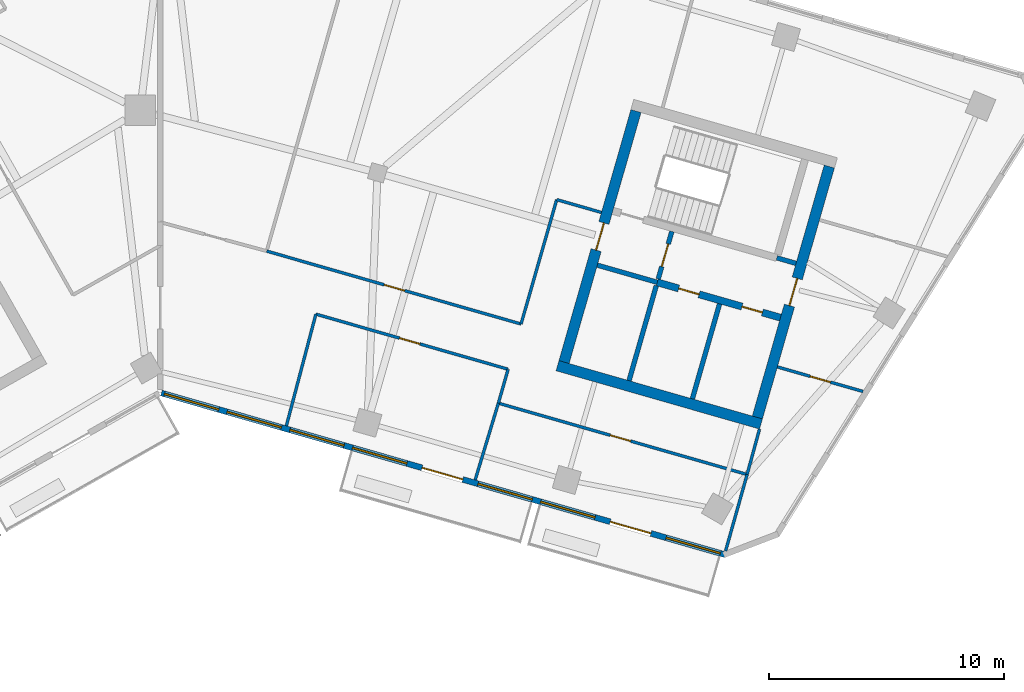
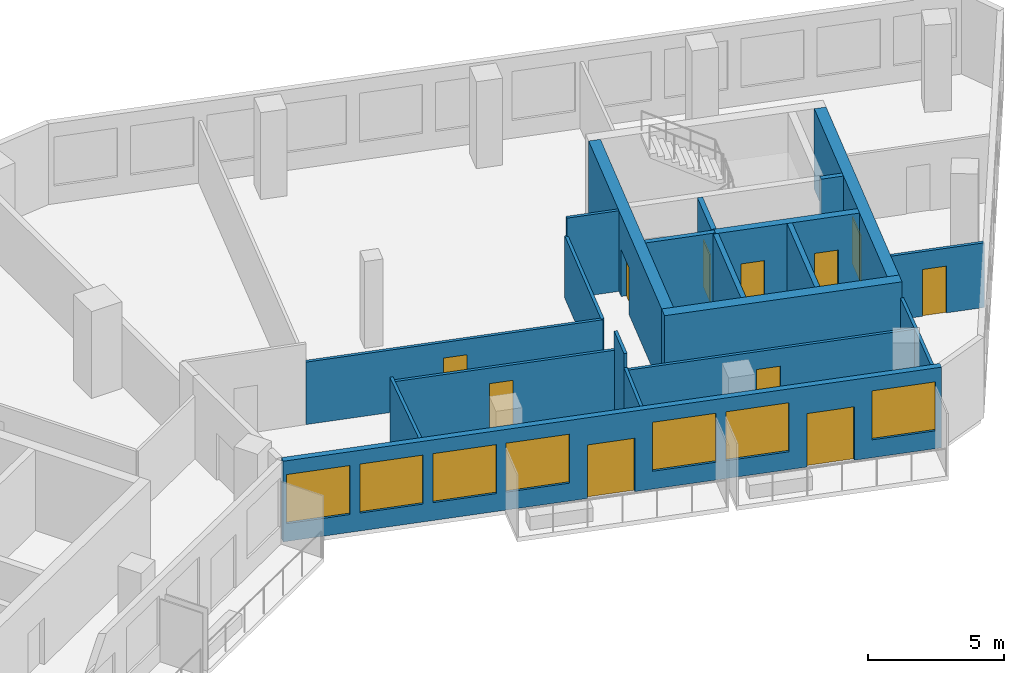
# One storey, part 7 of 12: 21 walls, 11 doors, 7 windows, 18 openings.
"""IFC4 building model written with IfcOpenShell, lengths in metres."""

from ifc_helpers import new_model, si_unit, direction, frame, frame_2d, origin, place, context, subcontext, project, spatial, rectangle, extrude, material, layer, layer_set, type_object, element, fill, save


model = new_model("IFC4")

# Units and contexts
model_context = context("Model", 3, precision=1e-05, world=origin(), true_north=direction((0.0, 1.0)))
body_context = subcontext(model_context, "Body", "Model", "MODEL_VIEW")
ifc_project = project(units=[si_unit("LENGTHUNIT", "METRE"), si_unit("AREAUNIT", "SQUARE_METRE"), si_unit("VOLUMEUNIT", "CUBIC_METRE"), si_unit("PLANEANGLEUNIT", "RADIAN"), si_unit("MASSUNIT", "GRAM", prefix="KILO")], contexts=[model_context])

# Site, building, storey
site_placement = place(None, origin())
site = spatial("IfcSite", under=ifc_project, at=site_placement, CompositionType="ELEMENT")
building_placement = place(site_placement, origin())
building = spatial("IfcBuilding", under=site, at=building_placement, Name="Binnacle Exchange Tower", CompositionType="ELEMENT")
storey_placement = place(building_placement, frame((0.0, 0.0, 250.39990234375)))
storey = spatial("IfcBuildingStorey", under=building, at=storey_placement, Name="L55", CompositionType="ELEMENT", Elevation=250.39990234375)

# Wall
ifc_material_1 = material(Name="Gypsum partition fire rated")
ifc_layer_1 = layer(ifc_material_1, 0.199951171875)
ifc_layer_set_1 = layer_set([ifc_layer_1], Name="Core partition 200")
wall_type_1 = type_object("IfcWallType", Name="Core partition 200", PredefinedType="PARTITIONING", material=ifc_layer_set_1)
wall_1_placement = place(storey_placement, frame((22.623291015625, 47.7392578125, 0.0), z_axis=(0.0, 0.0, 1.0), x_axis=(0.275642273411, 0.961260285827, 0.0)))
element("IfcWall", 1, at=wall_1_placement, inside=storey, type_object=wall_type_1, Name="Core wall CRWD10", PredefinedType="PARTITIONING", context=body_context, shape_type="SweptSolid", body=[
    extrude(rectangle(XDim=4.199951171875, YDim=0.199951171875, at=frame_2d((2.10009765625, 0.0))), origin(), (0.0, 0.0, 1.0), 3.6201171875),
])

# Wall, openings, doors
ifc_material_2 = material(Name="Concrete C70/85", Category="concrete")
ifc_layer_2 = layer(ifc_material_2, 0.300048828125)
ifc_layer_set_2 = layer_set([ifc_layer_2], Name="Core wall - front 300")
wall_type_2 = type_object("IfcWallType", Name="Core wall - front 300", PredefinedType="SOLIDWALL", material=ifc_layer_set_2)
wall_2_placement = place(storey_placement, frame((21.130859375, 52.6923828125, 0.0), z_axis=(0.0, 0.0, 1.0), x_axis=(0.961261488075, -0.275638080722, 0.0)))
wall_2 = element("IfcWall", 2, at=wall_2_placement, inside=storey, type_object=wall_type_2, Name="Core wall CRWD3", PredefinedType="SOLIDWALL", context=body_context, shape_type="SweptSolid", body=[
    extrude(rectangle(XDim=5.449951171875, YDim=0.300048828125, at=frame_2d((2.72509765625, 0.0))), origin(), (0.0, 0.0, 1.0), 3.6201171875),
])
opening_1_placement = place(wall_2_placement, frame((0.949951171875, 0.0, 0.0)))
opening_1 = element("IfcOpeningElement", 3, at=opening_1_placement, cuts=wall_2, Name="Opening DD10", PredefinedType="OPENING", context=body_context, shape_type="SweptSolid", body=[
    extrude(rectangle(XDim=0.89990234375, YDim=2.10009765625, at=frame_2d((0.449951171875, 1.050048828125))), frame((0.0, 0.159912109375, 0.0), z_axis=(0.0, -1.0, 0.0), x_axis=(1.0, 0.0, 0.0)), (0.0, 0.0, 1.0), 0.320068359375),
])
opening_2_placement = place(wall_2_placement, frame((3.75, 0.0, 0.0)))
opening_2 = element("IfcOpeningElement", 4, at=opening_2_placement, cuts=wall_2, Name="Opening DD11", PredefinedType="OPENING", context=body_context, shape_type="SweptSolid", body=[
    extrude(rectangle(XDim=0.89990234375, YDim=2.10009765625, at=frame_2d((0.449951171875, 1.050048828125))), frame((0.0, 0.159912109375, 0.0), z_axis=(0.0, -1.0, 0.0), x_axis=(1.0, 0.0, 0.0)), (0.0, 0.0, 1.0), 0.320068359375),
])
ifc_material_3 = material(Name="Steel door leaf", Category="steel")
door_type_1 = type_object("IfcDoorType", Name="Fire door 900", OperationType="NOTDEFINED", PredefinedType="DOOR", material=ifc_material_3)
door_1_placement = place(opening_1_placement, frame((0.89990234375, 0.0, 0.0), z_axis=(0.0, 0.0, 1.0), x_axis=(-1.0, 0.0, 0.0)))
door_1 = element("IfcDoor", 5, at=door_1_placement, inside=storey, type_object=door_type_1, Name="Core room door IT STORE", OperationType="SINGLE_SWING_RIGHT", OverallHeight=2.10009765625, OverallWidth=0.89990234375, PredefinedType="DOOR", context=body_context, shape_type="SweptSolid", body=[
    extrude(rectangle(XDim=0.89990234375, YDim=2.10009765625, at=frame_2d((0.449951171875, 1.050048828125))), frame((0.0, 0.02490234375, 0.0), z_axis=(0.0, -1.0, 0.0), x_axis=(1.0, 0.0, 0.0)), (0.0, 0.0, 1.0), 0.050048828125),
])
fill(opening_1, door_1)
door_2_placement = place(opening_2_placement, frame((0.89990234375, 0.0, 0.0), z_axis=(0.0, 0.0, 1.0), x_axis=(-1.0, 0.0, 0.0)))
door_2 = element("IfcDoor", 6, at=door_2_placement, inside=storey, type_object=door_type_1, Name="Core room door UPS CUPBOARD", OperationType="SINGLE_SWING_LEFT", OverallHeight=2.10009765625, OverallWidth=0.89990234375, PredefinedType="DOOR", context=body_context, shape_type="SweptSolid", body=[
    extrude(rectangle(XDim=0.89990234375, YDim=2.10009765625, at=frame_2d((0.449951171875, 1.050048828125))), frame((0.0, 0.02490234375, 0.0), z_axis=(0.0, -1.0, 0.0), x_axis=(1.0, 0.0, 0.0)), (0.0, 0.0, 1.0), 0.050048828125),
])
fill(opening_2, door_2)

# Wall
ifc_layer_3 = layer(ifc_material_2, 0.449951171875)
ifc_layer_set_3 = layer_set([ifc_layer_3], Name="Core wall - outer 450")
wall_type_3 = type_object("IfcWallType", Name="Core wall - outer 450", PredefinedType="SOLIDWALL", material=ifc_layer_set_3)
wall_3_placement = place(storey_placement, frame((16.889892578125, 49.149169921875, 0.0), z_axis=(0.0, 0.0, 1.0), x_axis=(0.96126248289, -0.275634611374, 0.0)))
element("IfcWall", 7, at=wall_3_placement, inside=storey, type_object=wall_type_3, Name="Core wall CRWD1", PredefinedType="SOLIDWALL", context=body_context, shape_type="SweptSolid", body=[
    extrude(rectangle(XDim=9.0, YDim=0.449951171875, at=frame_2d((4.5, 0.0))), origin(), (0.0, 0.0, 1.0), 3.6201171875),
])

# Wall, opening, door
wall_4_placement = place(storey_placement, frame((17.168212890625, 49.303466796875, 0.0), z_axis=(0.0, 0.0, 1.0), x_axis=(0.275638974822, 0.961261231695, 0.0)))
wall_4 = element("IfcWall", 8, at=wall_4_placement, inside=storey, type_object=wall_type_3, Name="Core wall CRWD7", PredefinedType="SOLIDWALL", context=body_context, shape_type="SweptSolid", body=[
    extrude(rectangle(XDim=11.099853515625, YDim=0.449951171875, at=frame_2d((5.5498046875, 0.0))), origin(), (0.0, 0.0, 1.0), 3.6201171875),
])
opening_3_placement = place(wall_4_placement, frame((4.9501953125, 0.0, 0.0)))
opening_3 = element("IfcOpeningElement", 9, at=opening_3_placement, cuts=wall_4, Name="Opening DD5", PredefinedType="OPENING", context=body_context, shape_type="SweptSolid", body=[
    extrude(rectangle(XDim=1.199951171875, YDim=2.10009765625, at=frame_2d((0.60009765625, 1.050048828125))), frame((0.0, 0.23486328125, 0.0), z_axis=(0.0, -1.0, 0.0), x_axis=(1.0, 0.0, 0.0)), (0.0, 0.0, 1.0), 0.469970703125),
])
door_type_2 = type_object("IfcDoorType", Name="Fire door 1200", OperationType="NOTDEFINED", PredefinedType="DOOR", material=ifc_material_3)
door_3_placement = place(opening_3_placement, origin())
door_3 = element("IfcDoor", 10, at=door_3_placement, inside=storey, type_object=door_type_2, Name="Vestibule exit door VEST-W", OperationType="SINGLE_SWING_RIGHT", OverallHeight=2.10009765625, OverallWidth=1.199951171875, PredefinedType="DOOR", context=body_context, shape_type="SweptSolid", body=[
    extrude(rectangle(XDim=1.199951171875, YDim=2.10009765625, at=frame_2d((0.60009765625, 1.050048828125))), frame((0.0, 0.02490234375, 0.0), z_axis=(0.0, -1.0, 0.0), x_axis=(1.0, 0.0, 0.0)), (0.0, 0.0, 1.0), 0.050048828125),
])
fill(opening_3, door_3)

wall_5_placement = place(storey_placement, frame((25.386962890625, 46.94677734375, 0.0), z_axis=(0.0, 0.0, 1.0), x_axis=(0.275638974822, 0.961261231695, 0.0)))
wall_5 = element("IfcWall", 11, at=wall_5_placement, inside=storey, type_object=wall_type_3, Name="Core wall CRWD12", PredefinedType="SOLIDWALL", context=body_context, shape_type="SweptSolid", body=[
    extrude(rectangle(XDim=11.099853515625, YDim=0.449951171875, at=frame_2d((5.5498046875, 0.0))), origin(), (0.0, 0.0, 1.0), 3.6201171875),
])
opening_4_placement = place(wall_5_placement, frame((4.949951171875, 0.0, 0.0)))
opening_4 = element("IfcOpeningElement", 12, at=opening_4_placement, cuts=wall_5, Name="Opening DD6", PredefinedType="OPENING", context=body_context, shape_type="SweptSolid", body=[
    extrude(rectangle(XDim=1.199951171875, YDim=2.10009765625, at=frame_2d((0.60009765625, 1.050048828125))), frame((0.0, 0.23486328125, 0.0), z_axis=(0.0, -1.0, 0.0), x_axis=(1.0, 0.0, 0.0)), (0.0, 0.0, 1.0), 0.469970703125),
])
door_4_placement = place(opening_4_placement, frame((1.199951171875, 0.0, 0.0), z_axis=(0.0, 0.0, 1.0), x_axis=(-1.0, 0.0, 0.0)))
door_4 = element("IfcDoor", 13, at=door_4_placement, inside=storey, type_object=door_type_2, Name="Core passage exit door", OperationType="SINGLE_SWING_RIGHT", OverallHeight=2.10009765625, OverallWidth=1.199951171875, PredefinedType="DOOR", context=body_context, shape_type="SweptSolid", body=[
    extrude(rectangle(XDim=1.199951171875, YDim=2.10009765625, at=frame_2d((0.60009765625, 1.050048828125))), frame((0.0, 0.02490234375, 0.0), z_axis=(0.0, -1.0, 0.0), x_axis=(1.0, 0.0, 0.0)), (0.0, 0.0, 1.0), 0.050048828125),
])
fill(opening_4, door_4)

# Wall, openings, doors, windows
ifc_material_4 = material(Name="Bronze aluminium cladding", Category="aluminium")
ifc_layer_4 = layer(ifc_material_4, 0.25)
ifc_layer_set_4 = layer_set([ifc_layer_4], Name="External wall - window wall 250")
wall_type_4 = type_object("IfcWallType", Name="External wall - window wall 250", PredefinedType="STANDARD", material=ifc_layer_set_4)
wall_6_placement = place(storey_placement, frame((24.034423828125, 41.108154296875, 0.0), z_axis=(0.0, 0.0, 1.0), x_axis=(-0.96126060691, 0.275641153683, 0.0)))
wall_6 = element("IfcWall", 14, at=wall_6_placement, inside=storey, type_object=wall_type_4, Name="External wall EW-G02 L55", PredefinedType="STANDARD", context=body_context, shape_type="SweptSolid", body=[
    extrude(rectangle(XDim=24.95068359375, YDim=0.25, at=frame_2d((12.475341796875, 0.0))), origin(), (0.0, 0.0, 1.0), 3.6201171875),
])
opening_5_placement = place(wall_6_placement, frame((22.416259765625, 0.0, 0.800048828125)))
opening_5 = element("IfcOpeningElement", 15, at=opening_5_placement, cuts=wall_6, Name="Opening WR1", PredefinedType="OPENING", context=body_context, shape_type="SweptSolid", body=[
    extrude(rectangle(XDim=2.39990234375, YDim=2.199951171875, at=frame_2d((1.199951171875, 1.10009765625))), frame((0.0, 0.135009765625, 0.0), z_axis=(0.0, -1.0, 0.0), x_axis=(1.0, 0.0, 0.0)), (0.0, 0.0, 1.0), 0.27001953125),
])
opening_6_placement = place(wall_6_placement, frame((19.642822265625, 0.0, 0.800048828125)))
opening_6 = element("IfcOpeningElement", 16, at=opening_6_placement, cuts=wall_6, Name="Opening WR1", PredefinedType="OPENING", context=body_context, shape_type="SweptSolid", body=[
    extrude(rectangle(XDim=2.39990234375, YDim=2.199951171875, at=frame_2d((1.199951171875, 1.10009765625))), frame((0.0, 0.135009765625, 0.0), z_axis=(0.0, -1.0, 0.0), x_axis=(1.0, 0.0, 0.0)), (0.0, 0.0, 1.0), 0.27001953125),
])
opening_7_placement = place(wall_6_placement, frame((16.869384765625, 0.0, 0.800048828125)))
opening_7 = element("IfcOpeningElement", 17, at=opening_7_placement, cuts=wall_6, Name="Opening WR1", PredefinedType="OPENING", context=body_context, shape_type="SweptSolid", body=[
    extrude(rectangle(XDim=2.39990234375, YDim=2.199951171875, at=frame_2d((1.199951171875, 1.10009765625))), frame((0.0, 0.135009765625, 0.0), z_axis=(0.0, -1.0, 0.0), x_axis=(1.0, 0.0, 0.0)), (0.0, 0.0, 1.0), 0.27001953125),
])
opening_8_placement = place(wall_6_placement, frame((14.095947265625, 0.0, 0.800048828125)))
opening_8 = element("IfcOpeningElement", 18, at=opening_8_placement, cuts=wall_6, Name="Opening WR1", PredefinedType="OPENING", context=body_context, shape_type="SweptSolid", body=[
    extrude(rectangle(XDim=2.39990234375, YDim=2.199951171875, at=frame_2d((1.199951171875, 1.10009765625))), frame((0.0, 0.135009765625, 0.0), z_axis=(0.0, -1.0, 0.0), x_axis=(1.0, 0.0, 0.0)), (0.0, 0.0, 1.0), 0.27001953125),
])
opening_9_placement = place(wall_6_placement, frame((11.622314453125, 0.0, 0.0)))
opening_9 = element("IfcOpeningElement", 19, at=opening_9_placement, cuts=wall_6, Name="Opening D-FS15-06", PredefinedType="OPENING", context=body_context, shape_type="SweptSolid", body=[
    extrude(rectangle(XDim=1.800048828125, YDim=2.39990234375, at=frame_2d((0.89990234375, 1.199951171875))), frame((0.0, 0.135009765625, 0.0), z_axis=(0.0, -1.0, 0.0), x_axis=(1.0, 0.0, 0.0)), (0.0, 0.0, 1.0), 0.27001953125),
])
opening_10_placement = place(wall_6_placement, frame((8.548828125, 0.0, 0.800048828125)))
opening_10 = element("IfcOpeningElement", 20, at=opening_10_placement, cuts=wall_6, Name="Opening WR1", PredefinedType="OPENING", context=body_context, shape_type="SweptSolid", body=[
    extrude(rectangle(XDim=2.39990234375, YDim=2.199951171875, at=frame_2d((1.199951171875, 1.10009765625))), frame((0.0, 0.135009765625, 0.0), z_axis=(0.0, -1.0, 0.0), x_axis=(1.0, 0.0, 0.0)), (0.0, 0.0, 1.0), 0.27001953125),
])
opening_11_placement = place(wall_6_placement, frame((5.775390625, 0.0, 0.800048828125)))
opening_11 = element("IfcOpeningElement", 21, at=opening_11_placement, cuts=wall_6, Name="Opening WR1", PredefinedType="OPENING", context=body_context, shape_type="SweptSolid", body=[
    extrude(rectangle(XDim=2.39990234375, YDim=2.199951171875, at=frame_2d((1.199951171875, 1.10009765625))), frame((0.0, 0.135009765625, 0.0), z_axis=(0.0, -1.0, 0.0), x_axis=(1.0, 0.0, 0.0)), (0.0, 0.0, 1.0), 0.27001953125),
])
opening_12_placement = place(wall_6_placement, frame((3.302001953125, 0.0, 0.0)))
opening_12 = element("IfcOpeningElement", 22, at=opening_12_placement, cuts=wall_6, Name="Opening D-FS15-07", PredefinedType="OPENING", context=body_context, shape_type="SweptSolid", body=[
    extrude(rectangle(XDim=1.800048828125, YDim=2.39990234375, at=frame_2d((0.89990234375, 1.199951171875))), frame((0.0, 0.135009765625, 0.0), z_axis=(0.0, -1.0, 0.0), x_axis=(1.0, 0.0, 0.0)), (0.0, 0.0, 1.0), 0.27001953125),
])
opening_13_placement = place(wall_6_placement, frame((0.228515625, 0.0, 0.800048828125)))
opening_13 = element("IfcOpeningElement", 23, at=opening_13_placement, cuts=wall_6, Name="Opening WR1", PredefinedType="OPENING", context=body_context, shape_type="SweptSolid", body=[
    extrude(rectangle(XDim=2.39990234375, YDim=2.199951171875, at=frame_2d((1.199951171875, 1.10009765625))), frame((0.0, 0.135009765625, 0.0), z_axis=(0.0, -1.0, 0.0), x_axis=(1.0, 0.0, 0.0)), (0.0, 0.0, 1.0), 0.27001953125),
])
ifc_material_5 = material(Name="Bronze anodised aluminium frame", Category="aluminium")
door_type_3 = type_object("IfcDoorType", Name="DB DOOR 1800x2400", OperationType="DOUBLE_DOOR_SINGLE_SWING", PredefinedType="DOOR", material=ifc_material_5)
door_5_placement = place(opening_9_placement, origin())
door_5 = element("IfcDoor", 24, at=door_5_placement, inside=storey, type_object=door_type_3, Name="Door D-FS15-06 L55", OperationType="DOUBLE_DOOR_SINGLE_SWING", OverallHeight=2.39990234375, OverallWidth=1.800048828125, PredefinedType="DOOR", context=body_context, shape_type="SweptSolid", body=[
    extrude(rectangle(XDim=1.800048828125, YDim=2.39990234375, at=frame_2d((0.89990234375, 1.199951171875))), frame((0.0, 0.02490234375, 0.0), z_axis=(0.0, -1.0, 0.0), x_axis=(1.0, 0.0, 0.0)), (0.0, 0.0, 1.0), 0.050048828125),
])
fill(opening_9, door_5)
door_6_placement = place(opening_12_placement, origin())
door_6 = element("IfcDoor", 25, at=door_6_placement, inside=storey, type_object=door_type_3, Name="Door D-FS15-07 L55", OperationType="DOUBLE_DOOR_SINGLE_SWING", OverallHeight=2.39990234375, OverallWidth=1.800048828125, PredefinedType="DOOR", context=body_context, shape_type="SweptSolid", body=[
    extrude(rectangle(XDim=1.800048828125, YDim=2.39990234375, at=frame_2d((0.89990234375, 1.199951171875))), frame((0.0, 0.02490234375, 0.0), z_axis=(0.0, -1.0, 0.0), x_axis=(1.0, 0.0, 0.0)), (0.0, 0.0, 1.0), 0.050048828125),
])
fill(opening_12, door_6)
window_type = type_object("IfcWindowType", Name="WR1 WINDOW 2400x2200", PartitioningType="SINGLE_PANEL", PredefinedType="WINDOW", material=ifc_material_5)
window_1_placement = place(opening_5_placement, origin())
window_1 = element("IfcWindow", 26, at=window_1_placement, inside=storey, type_object=window_type, Name="Window WR1 L55", OverallHeight=2.199951171875, OverallWidth=2.39990234375, PartitioningType="SINGLE_PANEL", PredefinedType="WINDOW", context=body_context, shape_type="SweptSolid", body=[
    extrude(rectangle(XDim=2.39990234375, YDim=2.199951171875, at=frame_2d((1.199951171875, 1.10009765625))), frame((0.0, 0.030029296875, 0.0), z_axis=(0.0, -1.0, 0.0), x_axis=(1.0, 0.0, 0.0)), (0.0, 0.0, 1.0), 0.06005859375),
])
fill(opening_5, window_1)
window_2_placement = place(opening_6_placement, origin())
window_2 = element("IfcWindow", 27, at=window_2_placement, inside=storey, type_object=window_type, Name="Window WR1 L55", OverallHeight=2.199951171875, OverallWidth=2.39990234375, PartitioningType="SINGLE_PANEL", PredefinedType="WINDOW", context=body_context, shape_type="SweptSolid", body=[
    extrude(rectangle(XDim=2.39990234375, YDim=2.199951171875, at=frame_2d((1.199951171875, 1.10009765625))), frame((0.0, 0.030029296875, 0.0), z_axis=(0.0, -1.0, 0.0), x_axis=(1.0, 0.0, 0.0)), (0.0, 0.0, 1.0), 0.06005859375),
])
fill(opening_6, window_2)
window_3_placement = place(opening_7_placement, origin())
window_3 = element("IfcWindow", 28, at=window_3_placement, inside=storey, type_object=window_type, Name="Window WR1 L55", OverallHeight=2.199951171875, OverallWidth=2.39990234375, PartitioningType="SINGLE_PANEL", PredefinedType="WINDOW", context=body_context, shape_type="SweptSolid", body=[
    extrude(rectangle(XDim=2.39990234375, YDim=2.199951171875, at=frame_2d((1.199951171875, 1.10009765625))), frame((0.0, 0.030029296875, 0.0), z_axis=(0.0, -1.0, 0.0), x_axis=(1.0, 0.0, 0.0)), (0.0, 0.0, 1.0), 0.06005859375),
])
fill(opening_7, window_3)
window_4_placement = place(opening_8_placement, origin())
window_4 = element("IfcWindow", 29, at=window_4_placement, inside=storey, type_object=window_type, Name="Window WR1 L55", OverallHeight=2.199951171875, OverallWidth=2.39990234375, PartitioningType="SINGLE_PANEL", PredefinedType="WINDOW", context=body_context, shape_type="SweptSolid", body=[
    extrude(rectangle(XDim=2.39990234375, YDim=2.199951171875, at=frame_2d((1.199951171875, 1.10009765625))), frame((0.0, 0.030029296875, 0.0), z_axis=(0.0, -1.0, 0.0), x_axis=(1.0, 0.0, 0.0)), (0.0, 0.0, 1.0), 0.06005859375),
])
fill(opening_8, window_4)
window_5_placement = place(opening_10_placement, origin())
window_5 = element("IfcWindow", 30, at=window_5_placement, inside=storey, type_object=window_type, Name="Window WR1 L55", OverallHeight=2.199951171875, OverallWidth=2.39990234375, PartitioningType="SINGLE_PANEL", PredefinedType="WINDOW", context=body_context, shape_type="SweptSolid", body=[
    extrude(rectangle(XDim=2.39990234375, YDim=2.199951171875, at=frame_2d((1.199951171875, 1.10009765625))), frame((0.0, 0.030029296875, 0.0), z_axis=(0.0, -1.0, 0.0), x_axis=(1.0, 0.0, 0.0)), (0.0, 0.0, 1.0), 0.06005859375),
])
fill(opening_10, window_5)
window_6_placement = place(opening_11_placement, origin())
window_6 = element("IfcWindow", 31, at=window_6_placement, inside=storey, type_object=window_type, Name="Window WR1 L55", OverallHeight=2.199951171875, OverallWidth=2.39990234375, PartitioningType="SINGLE_PANEL", PredefinedType="WINDOW", context=body_context, shape_type="SweptSolid", body=[
    extrude(rectangle(XDim=2.39990234375, YDim=2.199951171875, at=frame_2d((1.199951171875, 1.10009765625))), frame((0.0, 0.030029296875, 0.0), z_axis=(0.0, -1.0, 0.0), x_axis=(1.0, 0.0, 0.0)), (0.0, 0.0, 1.0), 0.06005859375),
])
fill(opening_11, window_6)
window_7_placement = place(opening_13_placement, origin())
window_7 = element("IfcWindow", 32, at=window_7_placement, inside=storey, type_object=window_type, Name="Window WR1 L55", OverallHeight=2.199951171875, OverallWidth=2.39990234375, PartitioningType="SINGLE_PANEL", PredefinedType="WINDOW", context=body_context, shape_type="SweptSolid", body=[
    extrude(rectangle(XDim=2.39990234375, YDim=2.199951171875, at=frame_2d((1.199951171875, 1.10009765625))), frame((0.0, 0.030029296875, 0.0), z_axis=(0.0, -1.0, 0.0), x_axis=(1.0, 0.0, 0.0)), (0.0, 0.0, 1.0), 0.06005859375),
])
fill(opening_13, window_7)

# Wall, opening, door
ifc_material_6 = material(Name="Masonry block wall", Category="masonry")
ifc_layer_5 = layer(ifc_material_6, 0.199951171875)
ifc_layer_set_5 = layer_set([ifc_layer_5], Name="Fire wall - vestibule 200")
wall_type_5 = type_object("IfcWallType", Name="Fire wall - vestibule 200", PredefinedType="PARTITIONING", material=ifc_layer_set_5)
wall_7_placement = place(storey_placement, frame((21.172119140625, 52.836669921875, 0.0), z_axis=(0.0, 0.0, 1.0), x_axis=(0.275657676022, 0.961255868981, 0.0)))
wall_7 = element("IfcWall", 33, at=wall_7_placement, inside=storey, type_object=wall_type_5, Name="Core wall CRWD9", PredefinedType="PARTITIONING", context=body_context, shape_type="SweptSolid", body=[
    extrude(rectangle(XDim=2.099853515625, YDim=0.199951171875, at=frame_2d((1.0498046875, 0.0))), origin(), (0.0, 0.0, 1.0), 3.6201171875),
])
opening_14_placement = place(wall_7_placement, frame((0.550048828125, 0.0, 0.0)))
opening_14 = element("IfcOpeningElement", 34, at=opening_14_placement, cuts=wall_7, Name="Opening DD3", PredefinedType="OPENING", context=body_context, shape_type="SweptSolid", body=[
    extrude(rectangle(XDim=1.0, YDim=2.10009765625, at=frame_2d((0.5, 1.050048828125))), frame((0.0, 0.10986328125, 0.0), z_axis=(0.0, -1.0, 0.0), x_axis=(1.0, 0.0, 0.0)), (0.0, 0.0, 1.0), 0.219970703125),
])
door_type_4 = type_object("IfcDoorType", Name="Fire door 1000", OperationType="NOTDEFINED", PredefinedType="DOOR", material=ifc_material_3)
door_7_placement = place(opening_14_placement, origin())
door_7 = element("IfcDoor", 35, at=door_7_placement, inside=storey, type_object=door_type_4, Name="Vestibule door VEST-W", OperationType="SINGLE_SWING_RIGHT", OverallHeight=2.10009765625, OverallWidth=1.0, PredefinedType="DOOR", context=body_context, shape_type="SweptSolid", body=[
    extrude(rectangle(XDim=1.0, YDim=2.10009765625, at=frame_2d((0.5, 1.050048828125))), frame((0.0, 0.02490234375, 0.0), z_axis=(0.0, -1.0, 0.0), x_axis=(1.0, 0.0, 0.0)), (0.0, 0.0, 1.0), 0.050048828125),
])
fill(opening_14, door_7)

ifc_material_7 = material(Name="Gypsum partition")
ifc_layer_6 = layer(ifc_material_7, 0.125)
ifc_layer_set_6 = layer_set([ifc_layer_6], Name="Partition 125")
wall_type_6 = type_object("IfcWallType", Name="Partition 125", PredefinedType="PARTITIONING", material=ifc_layer_set_6)
wall_8_placement = place(storey_placement, frame((4.527099609375, 54.02001953125, 0.0), z_axis=(0.0, 0.0, 1.0), x_axis=(0.961279520283, -0.275575187352, 0.0)))
wall_8 = element("IfcWall", 36, at=wall_8_placement, inside=storey, type_object=wall_type_6, Name="Partition W27", PredefinedType="PARTITIONING", context=body_context, shape_type="SweptSolid", body=[
    extrude(rectangle(XDim=11.24951171875, YDim=0.125, at=frame_2d((5.624755859375, 0.0))), origin(), (0.0, 0.0, 1.0), 2.800048828125),
])
opening_15_placement = place(wall_8_placement, frame((5.199951171875, 0.0, 0.0)))
opening_15 = element("IfcOpeningElement", 37, at=opening_15_placement, cuts=wall_8, Name="Opening DL55-09", PredefinedType="OPENING", context=body_context, shape_type="SweptSolid", body=[
    extrude(rectangle(XDim=0.89990234375, YDim=2.10009765625, at=frame_2d((0.449951171875, 1.050048828125))), frame((0.0, 0.072509765625, 0.0), z_axis=(0.0, -1.0, 0.0), x_axis=(1.0, 0.0, 0.0)), (0.0, 0.0, 1.0), 0.14501953125),
])
ifc_material_8 = material(Name="Timber door leaf", Category="wood")
door_type_5 = type_object("IfcDoorType", Name="Door 900", OperationType="NOTDEFINED", PredefinedType="DOOR", material=ifc_material_8)
door_8_placement = place(opening_15_placement, origin())
door_8 = element("IfcDoor", 38, at=door_8_placement, inside=storey, type_object=door_type_5, Name="Door DL55-09", OperationType="SINGLE_SWING_RIGHT", OverallHeight=2.10009765625, OverallWidth=0.89990234375, PredefinedType="DOOR", context=body_context, shape_type="SweptSolid", body=[
    extrude(rectangle(XDim=0.89990234375, YDim=2.10009765625, at=frame_2d((0.449951171875, 1.050048828125))), frame((0.0, 0.02490234375, 0.0), z_axis=(0.0, -1.0, 0.0), x_axis=(1.0, 0.0, 0.0)), (0.0, 0.0, 1.0), 0.050048828125),
])
fill(opening_15, door_8)

# Wall
wall_9_placement = place(storey_placement, frame((5.364013671875, 46.592041015625, 0.0), z_axis=(0.0, 0.0, 1.0), x_axis=(0.255520885185, 0.966803536006, 0.0)))
element("IfcWall", 39, at=wall_9_placement, inside=storey, type_object=wall_type_6, Name="Partition W28", PredefinedType="PARTITIONING", context=body_context, shape_type="SweptSolid", body=[
    extrude(rectangle(XDim=4.9111328125, YDim=0.125, at=frame_2d((2.45556640625, 0.0))), origin(), (0.0, 0.0, 1.0), 2.988037109375),
])

# Wall, opening, door
wall_10_placement = place(storey_placement, frame((6.618896484375, 51.340087890625, 0.0), z_axis=(0.0, 0.0, 1.0), x_axis=(0.961262314742, -0.275635197782, 0.0)))
wall_10 = element("IfcWall", 40, at=wall_10_placement, inside=storey, type_object=wall_type_6, Name="Partition W29", PredefinedType="PARTITIONING", context=body_context, shape_type="SweptSolid", body=[
    extrude(rectangle(XDim=8.50048828125, YDim=0.125, at=frame_2d((4.250244140625, 0.0))), origin(), (0.0, 0.0, 1.0), 2.800048828125),
])
opening_16_placement = place(wall_10_placement, frame((3.699951171875, 0.0, 0.0)))
opening_16 = element("IfcOpeningElement", 41, at=opening_16_placement, cuts=wall_10, Name="Opening DL55-10", PredefinedType="OPENING", context=body_context, shape_type="SweptSolid", body=[
    extrude(rectangle(XDim=0.89990234375, YDim=2.10009765625, at=frame_2d((0.449951171875, 1.050048828125))), frame((0.0, 0.072509765625, 0.0), z_axis=(0.0, -1.0, 0.0), x_axis=(1.0, 0.0, 0.0)), (0.0, 0.0, 1.0), 0.14501953125),
])
door_9_placement = place(opening_16_placement, frame((0.89990234375, 0.0, 0.0), z_axis=(0.0, 0.0, 1.0), x_axis=(-1.0, 0.0, 0.0)))
door_9 = element("IfcDoor", 42, at=door_9_placement, inside=storey, type_object=door_type_5, Name="Door DL55-10", OperationType="SINGLE_SWING_RIGHT", OverallHeight=2.10009765625, OverallWidth=0.89990234375, PredefinedType="DOOR", context=body_context, shape_type="SweptSolid", body=[
    extrude(rectangle(XDim=0.89990234375, YDim=2.10009765625, at=frame_2d((0.449951171875, 1.050048828125))), frame((0.0, 0.02490234375, 0.0), z_axis=(0.0, -1.0, 0.0), x_axis=(1.0, 0.0, 0.0)), (0.0, 0.0, 1.0), 0.050048828125),
])
fill(opening_16, door_9)

# Walls
wall_11_placement = place(storey_placement, frame((13.389892578125, 44.2900390625, 0.0), z_axis=(0.0, 0.0, 1.0), x_axis=(0.289389501276, 0.957211427299, 0.0)))
element("IfcWall", 43, at=wall_11_placement, inside=storey, type_object=wall_type_6, Name="Partition W30", PredefinedType="PARTITIONING", context=body_context, shape_type="SweptSolid", body=[
    extrude(rectangle(XDim=3.410888671875, YDim=0.125, at=frame_2d((1.70556640625, 0.0))), origin(), (0.0, 0.0, 1.0), 2.994140625),
])
wall_12_placement = place(storey_placement, frame((14.376953125, 47.554931640625, 0.0), z_axis=(0.0, 0.0, 1.0), x_axis=(0.275365908, 0.961339490873, 0.0)))
element("IfcWall", 44, at=wall_12_placement, inside=storey, type_object=wall_type_6, Name="Partition W31", PredefinedType="PARTITIONING", context=body_context, shape_type="SweptSolid", body=[
    extrude(rectangle(XDim=1.500244140625, YDim=0.125, at=frame_2d((0.75, 0.0))), origin(), (0.0, 0.0, 1.0), 3.6201171875),
])

# Wall, opening, door
wall_13_placement = place(storey_placement, frame((14.376953125, 47.554931640625, 0.0), z_axis=(0.0, 0.0, 1.0), x_axis=(0.961263044958, -0.275632651182, 0.0)))
wall_13 = element("IfcWall", 45, at=wall_13_placement, inside=storey, type_object=wall_type_6, Name="Partition W32", PredefinedType="PARTITIONING", context=body_context, shape_type="SweptSolid", body=[
    extrude(rectangle(XDim=11.0, YDim=0.125, at=frame_2d((5.5, 0.0))), origin(), (0.0, 0.0, 1.0), 2.900146484375),
])
opening_17_placement = place(wall_13_placement, frame((4.949951171875, 0.0, 0.0)))
opening_17 = element("IfcOpeningElement", 46, at=opening_17_placement, cuts=wall_13, Name="Opening DL55-11", PredefinedType="OPENING", context=body_context, shape_type="SweptSolid", body=[
    extrude(rectangle(XDim=0.89990234375, YDim=2.10009765625, at=frame_2d((0.449951171875, 1.050048828125))), frame((0.0, 0.072509765625, 0.0), z_axis=(0.0, -1.0, 0.0), x_axis=(1.0, 0.0, 0.0)), (0.0, 0.0, 1.0), 0.14501953125),
])
door_10_placement = place(opening_17_placement, frame((0.89990234375, 0.0, 0.0), z_axis=(0.0, 0.0, 1.0), x_axis=(-1.0, 0.0, 0.0)))
door_10 = element("IfcDoor", 47, at=door_10_placement, inside=storey, type_object=door_type_5, Name="Door DL55-11", OperationType="SINGLE_SWING_RIGHT", OverallHeight=2.10009765625, OverallWidth=0.89990234375, PredefinedType="DOOR", context=body_context, shape_type="SweptSolid", body=[
    extrude(rectangle(XDim=0.89990234375, YDim=2.10009765625, at=frame_2d((0.449951171875, 1.050048828125))), frame((0.0, 0.02490234375, 0.0), z_axis=(0.0, -1.0, 0.0), x_axis=(1.0, 0.0, 0.0)), (0.0, 0.0, 1.0), 0.050048828125),
])
fill(opening_17, door_10)

# Walls
wall_14_placement = place(storey_placement, frame((15.341064453125, 50.919921875, 0.0), z_axis=(0.0, 0.0, 1.0), x_axis=(0.275653309838, 0.961257121053, 0.0)))
element("IfcWall", 48, at=wall_14_placement, inside=storey, type_object=wall_type_6, Name="Partition W33", PredefinedType="PARTITIONING", context=body_context, shape_type="SweptSolid", body=[
    extrude(rectangle(XDim=5.499267578125, YDim=0.125, at=frame_2d((2.74951171875, 0.0))), origin(), (0.0, 0.0, 1.0), 2.800048828125),
])
wall_15_placement = place(storey_placement, frame((16.85693359375, 56.2060546875, 0.0), z_axis=(0.0, 0.0, 1.0), x_axis=(0.961383985066, -0.275210525341, 0.0)))
element("IfcWall", 49, at=wall_15_placement, inside=storey, type_object=wall_type_6, Name="Partition W34", PredefinedType="PARTITIONING", context=body_context, shape_type="SweptSolid", body=[
    extrude(rectangle(XDim=1.9765625, YDim=0.125, at=frame_2d((0.98828125, 0.0))), origin(), (0.0, 0.0, 1.0), 3.6201171875),
])
wall_16_placement = place(storey_placement, frame((24.035888671875, 41.27001953125, 0.0), z_axis=(0.0, 0.0, 1.0), x_axis=(0.270787421954, 0.962639170256, 0.0)))
element("IfcWall", 50, at=wall_16_placement, inside=storey, type_object=wall_type_6, Name="Partition W36", PredefinedType="PARTITIONING", context=body_context, shape_type="SweptSolid", body=[
    extrude(rectangle(XDim=3.379150390625, YDim=0.125, at=frame_2d((1.689453125, 0.0))), origin(), (0.0, 0.0, 1.0), 2.900146484375),
])
wall_17_placement = place(storey_placement, frame((24.950927734375, 44.52294921875, 0.0), z_axis=(0.0, 0.0, 1.0), x_axis=(0.264046927145, 0.964509834198, 0.0)))
element("IfcWall", 51, at=wall_17_placement, inside=storey, type_object=wall_type_6, Name="Partition W37", PredefinedType="PARTITIONING", context=body_context, shape_type="SweptSolid", body=[
    extrude(rectangle(XDim=2.0, YDim=0.125, at=frame_2d((1.0, 0.0))), origin(), (0.0, 0.0, 1.0), 2.900146484375),
])

# Wall, opening, door
wall_18_placement = place(storey_placement, frame((26.237060546875, 49.095947265625, 0.0), z_axis=(0.0, 0.0, 1.0), x_axis=(0.961285271066, -0.275555126304, 0.0)))
wall_18 = element("IfcWall", 52, at=wall_18_placement, inside=storey, type_object=wall_type_6, Name="Partition W38", PredefinedType="PARTITIONING", context=body_context, shape_type="SweptSolid", body=[
    extrude(rectangle(XDim=3.78857421875, YDim=0.125, at=frame_2d((1.894287109375, 0.0))), origin(), (0.0, 0.0, 1.0), 2.900146484375),
])
opening_18_placement = place(wall_18_placement, frame((1.449951171875, 0.0, 0.0)))
opening_18 = element("IfcOpeningElement", 53, at=opening_18_placement, cuts=wall_18, Name="Opening DL55-13", PredefinedType="OPENING", context=body_context, shape_type="SweptSolid", body=[
    extrude(rectangle(XDim=0.89990234375, YDim=2.10009765625, at=frame_2d((0.449951171875, 1.050048828125))), frame((0.0, 0.072509765625, 0.0), z_axis=(0.0, -1.0, 0.0), x_axis=(1.0, 0.0, 0.0)), (0.0, 0.0, 1.0), 0.14501953125),
])
door_11_placement = place(opening_18_placement, frame((0.89990234375, 0.0, 0.0), z_axis=(0.0, 0.0, 1.0), x_axis=(-1.0, 0.0, 0.0)))
door_11 = element("IfcDoor", 54, at=door_11_placement, inside=storey, type_object=door_type_5, Name="Door DL55-13", OperationType="SINGLE_SWING_LEFT", OverallHeight=2.10009765625, OverallWidth=0.89990234375, PredefinedType="DOOR", context=body_context, shape_type="SweptSolid", body=[
    extrude(rectangle(XDim=0.89990234375, YDim=2.10009765625, at=frame_2d((0.449951171875, 1.050048828125))), frame((0.0, 0.02490234375, 0.0), z_axis=(0.0, -1.0, 0.0), x_axis=(1.0, 0.0, 0.0)), (0.0, 0.0, 1.0), 0.050048828125),
])
fill(opening_18, door_11)

# Walls
ifc_layer_7 = layer(ifc_material_6, 0.199951171875)
ifc_layer_set_7 = layer_set([ifc_layer_7], Name="Riser wall 200")
wall_type_7 = type_object("IfcWallType", Name="Riser wall 200", PredefinedType="SOLIDWALL", material=ifc_layer_set_7)
wall_19_placement = place(storey_placement, frame((18.58349609375, 53.4228515625, 0.0), z_axis=(0.0, 0.0, 1.0), x_axis=(0.961259287968, -0.275645753268, 0.0)))
element("IfcWall", 55, at=wall_19_placement, inside=storey, type_object=wall_type_7, Name="Core wall CRWD2", PredefinedType="SOLIDWALL", context=body_context, shape_type="SweptSolid", body=[
    extrude(rectangle(XDim=2.650146484375, YDim=0.199951171875, at=frame_2d((1.3251953125, 0.0))), origin(), (0.0, 0.0, 1.0), 3.6201171875),
])
wall_20_placement = place(storey_placement, frame((26.214111328125, 53.731689453125, 0.0), z_axis=(0.0, 0.0, 1.0), x_axis=(0.961241665642, -0.275707200184, 0.0)))
element("IfcWall", 56, at=wall_20_placement, inside=storey, type_object=wall_type_7, Name="Core wall CRWD5", PredefinedType="SOLIDWALL", context=body_context, shape_type="SweptSolid", body=[
    extrude(rectangle(XDim=0.85009765625, YDim=0.199951171875, at=frame_2d((0.425048828125, 0.0))), origin(), (0.0, 0.0, 1.0), 3.6201171875),
])
wall_21_placement = place(storey_placement, frame((19.931884765625, 48.510986328125, 0.0), z_axis=(0.0, 0.0, 1.0), x_axis=(0.275642273411, 0.961260285827, 0.0)))
element("IfcWall", 57, at=wall_21_placement, inside=storey, type_object=wall_type_7, Name="Core wall CRWD8", PredefinedType="SOLIDWALL", context=body_context, shape_type="SweptSolid", body=[
    extrude(rectangle(XDim=4.199951171875, YDim=0.199951171875, at=frame_2d((2.10009765625, 0.0))), origin(), (0.0, 0.0, 1.0), 3.6201171875),
])

save(model, "model.ifc")
